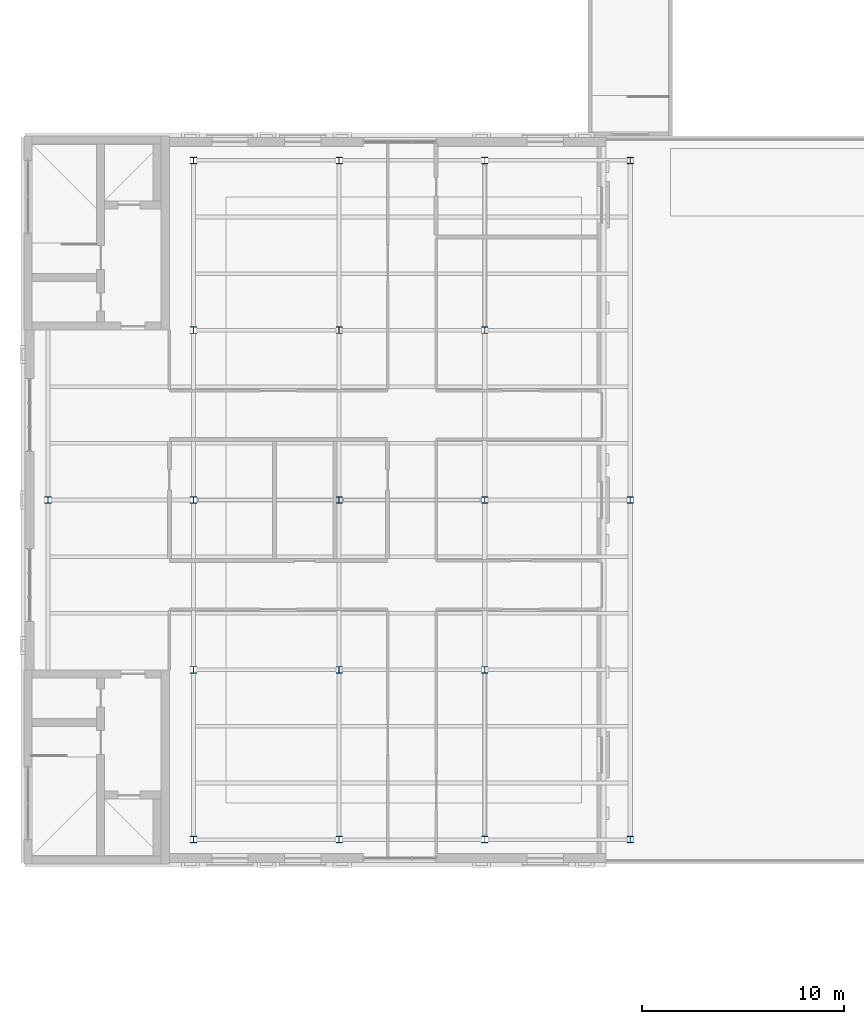
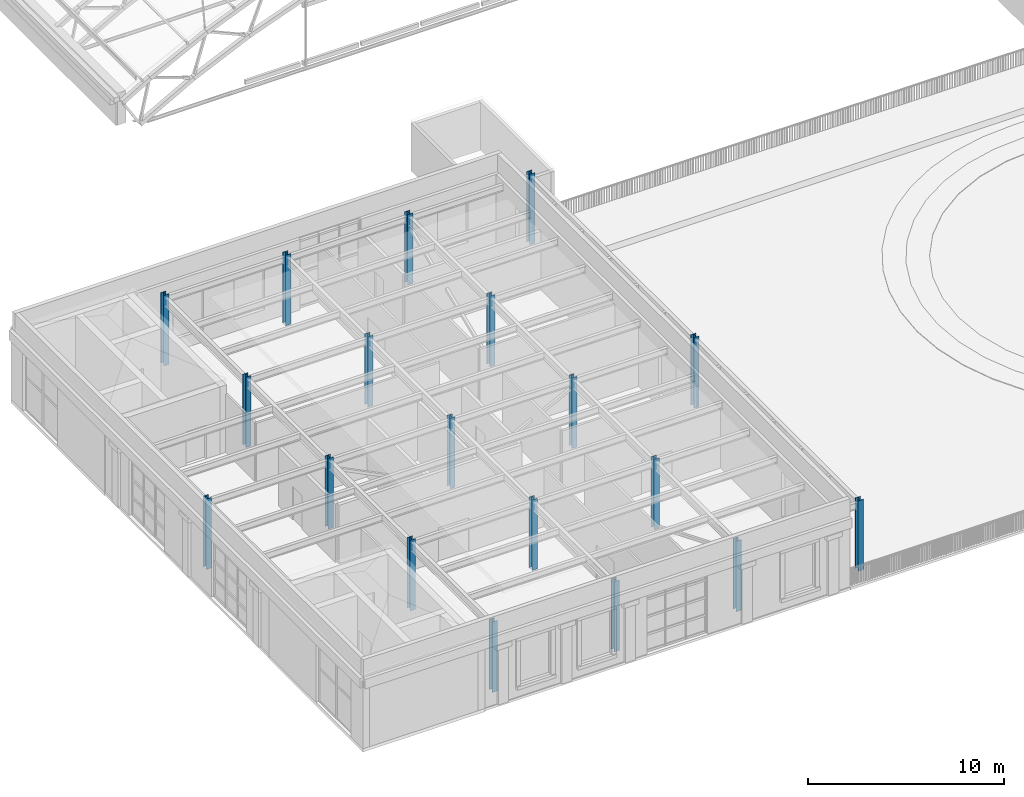
# One storey, part 1 of 127: 19 columns.
"""IFC4 building model written with IfcOpenShell, lengths in metres."""

from ifc_helpers import new_model, si_unit, direction, frame, origin, origin_2d, place, context, subcontext, project, spatial, i_section, extrude, material, material_profile, profile_set, type_object, element, save


model = new_model("IFC4")

# Units and contexts
model_context = context("Model", 3, precision=1e-05, world=origin(), true_north=direction((0.0, 1.0)))
body_context = subcontext(model_context, "Body", "Model", "MODEL_VIEW")
ifc_project = project(units=[si_unit("LENGTHUNIT", "METRE"), si_unit("AREAUNIT", "SQUARE_METRE"), si_unit("VOLUMEUNIT", "CUBIC_METRE"), si_unit("PLANEANGLEUNIT", "RADIAN"), si_unit("MASSUNIT", "GRAM", prefix="KILO")], contexts=[model_context])

# Site, building, storey
site_placement = place(None, origin())
site = spatial("IfcSite", under=ifc_project, at=site_placement, CompositionType="ELEMENT")
building_placement = place(site_placement, origin())
building = spatial("IfcBuilding", under=site, at=building_placement, Name="Verrick Yard Athletic Hall", CompositionType="ELEMENT")
storey_placement = place(building_placement, frame((0.0, 0.0, 14.0)))
storey = spatial("IfcBuildingStorey", under=building, at=storey_placement, Name="L03", CompositionType="ELEMENT", Elevation=14.0)

# Columns
ifc_material = material(Name="Structural steel 350W (CSA G40.21)", Category="steel")
ifc_material_profile = material_profile(ifc_material, i_section(OverallWidth=0.30908203125, OverallDepth=0.322998046875, WebThickness=0.013916015625, FlangeThickness=0.02294921875, at=origin_2d()), Name="W310x143")
ifc_profile_set = profile_set([ifc_material_profile], Name="Structural steel 350W (CSA G40.21)")
column_type = type_object("IfcColumnType", Name="STR Wing column W310x143", PredefinedType="COLUMN", material=ifc_profile_set)
for number, where, z_axis, x_axis, name in (
    (1, (11.199951171875, 36.0, 0.0), (0.0, 0.0, 1.0), (1.0, 0.0, 0.0), "Wing column WC13"),
    (2, (18.39990234375, 19.199951171875, 0.0), (0.0, 0.0, 1.0), (1.0, 0.0, 0.0), "Wing column WC21"),
    (3, (18.39990234375, 27.60009765625, 0.0), (0.0, 0.0, 1.0), (1.0, 0.0, 0.0), "Wing column WC22"),
    (4, (18.39990234375, 36.0, 0.0), (0.0, 0.0, 1.0), (1.0, 0.0, 0.0), "Wing column WC23"),
    (5, (18.39990234375, 44.39990234375, 0.0), (0.0, 0.0, 1.0), (1.0, 0.0, 0.0), "Wing column WC24"),
    (6, (18.39990234375, 52.800048828125, 0.0), (0.0, 0.0, 1.0), (1.0, 0.0, 0.0), "Wing column WC25"),
    (7, (25.60009765625, 19.199951171875, 0.0), (0.0, 0.0, 1.0), (1.0, 0.0, 0.0), "Wing column WC31"),
    (8, (25.60009765625, 27.60009765625, 0.0), (0.0, 0.0, 1.0), (1.0, 0.0, 0.0), "Wing column WC32"),
    (9, (25.60009765625, 36.0, 0.0), (0.0, 0.0, 1.0), (1.0, 0.0, 0.0), "Wing column WC33"),
    (10, (25.60009765625, 44.39990234375, 0.0), (0.0, 0.0, 1.0), (1.0, 0.0, 0.0), "Wing column WC34"),
    (11, (25.60009765625, 52.800048828125, 0.0), (0.0, 0.0, 1.0), (1.0, 0.0, 0.0), "Wing column WC35"),
    (12, (32.800048828125, 19.199951171875, 0.0), (0.0, 0.0, 1.0), (1.0, 0.0, 0.0), "Wing column WC41"),
    (13, (32.800048828125, 27.60009765625, 0.0), (0.0, 0.0, 1.0), (1.0, 0.0, 0.0), "Wing column WC42"),
    (14, (32.800048828125, 36.0, 0.0), (0.0, 0.0, 1.0), (1.0, 0.0, 0.0), "Wing column WC43"),
    (15, (32.800048828125, 44.39990234375, 0.0), (0.0, 0.0, 1.0), (1.0, 0.0, 0.0), "Wing column WC44"),
    (16, (32.800048828125, 52.800048828125, 0.0), (0.0, 0.0, 1.0), (1.0, 0.0, 0.0), "Wing column WC45"),
    (17, (40.0, 19.199951171875, 0.0), (0.0, 0.0, 1.0), (1.0, 0.0, 0.0), "Wing east column 19.2"),
    (18, (40.0, 36.0, 0.0), (0.0, 0.0, 1.0), (1.0, 0.0, 0.0), "Wing east column 36"),
    (19, (40.0, 52.800048828125, 0.0), (0.0, 0.0, 1.0), (1.0, 0.0, 0.0), "Wing east column 52.8"),
):
    element("IfcColumn", number, at=place(storey_placement, frame(where, z_axis=z_axis, x_axis=x_axis)), inside=storey, type_object=column_type, Name=name, PredefinedType="COLUMN", context=body_context, shape_type="SweptSolid", body=[
        extrude(i_section(OverallWidth=0.30908203125, OverallDepth=0.322998046875, WebThickness=0.013916015625, FlangeThickness=0.02294921875, at=origin_2d()), origin(), (0.0, 0.0, 1.0), 4.39990234375),
    ])

save(model, "model.ifc")
